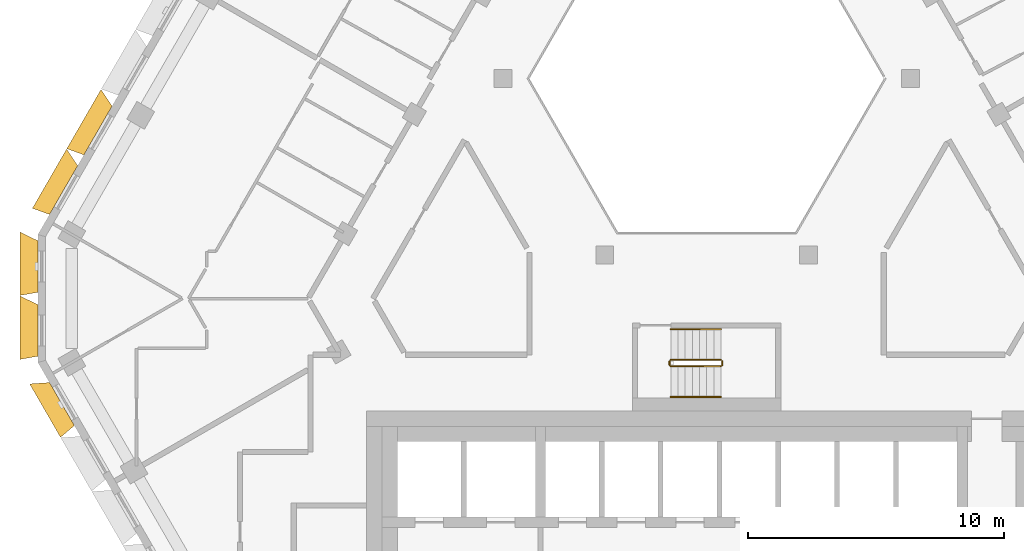
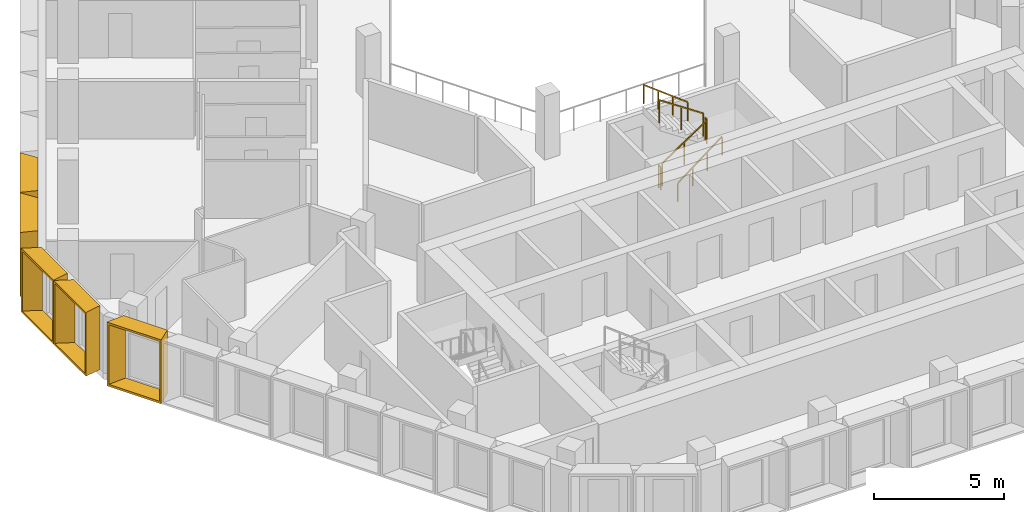
# One storey, part 15 of 18: 6 railings, 5 shading devices.
"""IFC4 building model written with IfcOpenShell, lengths in metres."""

from ifc_helpers import new_model, entity, si_unit, direction, frame, origin, origin_2d, place, context, subcontext, project, spatial, rectangle, extrude, source, transform, mapped, material, type_object, type_shapes, element, save


model = new_model("IFC4")

# Units and contexts
model_context = context("Model", 3, precision=1e-05, world=origin(), true_north=direction((0.0, 1.0)))
body_context = subcontext(model_context, "Body", "Model", "MODEL_VIEW")
ifc_project = project(units=[si_unit("LENGTHUNIT", "METRE"), si_unit("AREAUNIT", "SQUARE_METRE"), si_unit("VOLUMEUNIT", "CUBIC_METRE"), si_unit("PLANEANGLEUNIT", "RADIAN"), si_unit("MASSUNIT", "GRAM", prefix="KILO")], contexts=[model_context])

# Site, building, storey
site_placement = place(None, origin())
site = spatial("IfcSite", under=ifc_project, at=site_placement, CompositionType="ELEMENT")
building_placement = place(site_placement, origin())
building = spatial("IfcBuilding", under=site, at=building_placement, Name="Beryl Residences", CompositionType="ELEMENT")
storey_placement = place(building_placement, frame((0.0, 0.0, 190.199951171875)))
storey = spatial("IfcBuildingStorey", under=building, at=storey_placement, Name="L58", CompositionType="ELEMENT", Elevation=190.199951171875)

# Shading devices
ifc_material_1 = material(Name="Aluminium pale anodised", Category="aluminium")
shading_device_type_1 = type_object("IfcShadingDeviceType", Name="FR243-70B OUTER SKIN frame 700 mm deep, splay 26/10 deg, 2430 x 3000 mm cell", PredefinedType="USERDEFINED", material=ifc_material_1)
cartesian_point_1 = entity("IfcCartesianPoint", [-0.972412109375, 0.0])
cartesian_point_2 = entity("IfcCartesianPoint", [-0.883544921875, 0.10009765625])
cartesian_point_3 = entity("IfcCartesianPoint", [-1.31396484375, 0.0])
cartesian_point_4 = entity("IfcCartesianPoint", [-1.224853515625, 0.10009765625])
shared_shape_1 = source(origin(), body_context, "Body", "SweptSolid", [
    entity("IfcExtrudedAreaSolidTapered", entity("IfcArbitraryProfileDefWithVoids", "AREA", None, entity("IfcPolyline", [cartesian_point_1, entity("IfcCartesianPoint", [0.972412109375, 0.0]), entity("IfcCartesianPoint", [0.972412109375, 3.0]), entity("IfcCartesianPoint", [-0.972412109375, 3.0]), cartesian_point_1]), [entity("IfcPolyline", [cartesian_point_2, entity("IfcCartesianPoint", [0.891357421875, 0.10009765625]), entity("IfcCartesianPoint", [0.891357421875, 2.89990234375]), entity("IfcCartesianPoint", [-0.883544921875, 2.89990234375]), cartesian_point_2])]), entity("IfcAxis2Placement3D", entity("IfcCartesianPoint", [0.0, 0.0, 0.0]), entity("IfcDirection", [0.0, 1.0, 0.0]), entity("IfcDirection", [-1.0, 0.0, 0.0])), entity("IfcDirection", [0.0, 0.0, 1.0]), 0.699951171875, entity("IfcArbitraryProfileDefWithVoids", "AREA", None, entity("IfcPolyline", [cartesian_point_3, entity("IfcCartesianPoint", [1.095947265625, 0.0]), entity("IfcCartesianPoint", [1.095947265625, 3.0]), entity("IfcCartesianPoint", [-1.31396484375, 3.0]), cartesian_point_3]), [entity("IfcPolyline", [cartesian_point_4, entity("IfcCartesianPoint", [1.0146484375, 0.10009765625]), entity("IfcCartesianPoint", [1.0146484375, 2.89990234375]), entity("IfcCartesianPoint", [-1.224853515625, 2.89990234375]), cartesian_point_4])])),
])
type_shapes(shading_device_type_1, [shared_shape_1])
shading_device_placement = place(storey_placement, frame((-25.212890625, -4.72802734375, 0.0), z_axis=(0.0, 0.0, 1.0), x_axis=(-0.5, 0.866025403784, 0.0)))
element("IfcShadingDevice", 1, at=shading_device_placement, inside=storey, type_object=shading_device_type_1, Name="FR243-70B frame L58 SW 1", ObjectType="OUTER SKIN", PredefinedType="USERDEFINED", context=body_context, shape_type="MappedRepresentation", body=[
    mapped(shared_shape_1, transform((0.0, 0.0, 0.0))),
])
ifc_material_2 = material(Name="Aluminium pale anodised", Category="aluminium")
shading_device_type_2 = type_object("IfcShadingDeviceType", Name="FR250-70B OUTER SKIN frame 700 mm deep, splay 26/10 deg, 2500 x 3000 mm cell", PredefinedType="USERDEFINED", material=ifc_material_2)
cartesian_point_5 = entity("IfcCartesianPoint", [-1.007568359375, 0.0])
cartesian_point_6 = entity("IfcCartesianPoint", [-0.91845703125, 0.10009765625])
cartesian_point_7 = entity("IfcCartesianPoint", [-1.348876953125, 0.0])
cartesian_point_8 = entity("IfcCartesianPoint", [-1.260009765625, 0.10009765625])
shared_shape_2 = source(origin(), body_context, "Body", "SweptSolid", [
    entity("IfcExtrudedAreaSolidTapered", entity("IfcArbitraryProfileDefWithVoids", "AREA", None, entity("IfcPolyline", [cartesian_point_5, entity("IfcCartesianPoint", [1.007568359375, 0.0]), entity("IfcCartesianPoint", [1.007568359375, 3.0]), entity("IfcCartesianPoint", [-1.007568359375, 3.0]), cartesian_point_5]), [entity("IfcPolyline", [cartesian_point_6, entity("IfcCartesianPoint", [0.92626953125, 0.10009765625]), entity("IfcCartesianPoint", [0.92626953125, 2.89990234375]), entity("IfcCartesianPoint", [-0.91845703125, 2.89990234375]), cartesian_point_6])]), entity("IfcAxis2Placement3D", entity("IfcCartesianPoint", [0.0, 0.0, 0.0]), entity("IfcDirection", [0.0, 1.0, 0.0]), entity("IfcDirection", [-1.0, 0.0, 0.0])), entity("IfcDirection", [0.0, 0.0, 1.0]), 0.699951171875, entity("IfcArbitraryProfileDefWithVoids", "AREA", None, entity("IfcPolyline", [cartesian_point_7, entity("IfcCartesianPoint", [1.130859375, 0.0]), entity("IfcCartesianPoint", [1.130859375, 3.0]), entity("IfcCartesianPoint", [-1.348876953125, 3.0]), cartesian_point_7]), [entity("IfcPolyline", [cartesian_point_8, entity("IfcCartesianPoint", [1.0498046875, 0.10009765625]), entity("IfcCartesianPoint", [1.0498046875, 2.89990234375]), entity("IfcCartesianPoint", [-1.260009765625, 2.89990234375]), cartesian_point_8])])),
])
type_shapes(shading_device_type_2, [shared_shape_2])
for number, where, z_axis, x_axis, name in (
    (2, (-26.154052734375, 0.64990234375, 0.0), (0.0, 0.0, 1.0), (0.0, 1.0, 0.0), "FR250-70B frame L58 NW-SW 1"),
    (3, (-26.154052734375, -1.85009765625, 0.0), (0.0, 0.0, 1.0), (0.0, 1.0, 0.0), "FR250-70B frame L58 NW-SW 2"),
):
    element("IfcShadingDevice", number, at=place(storey_placement, frame(where, z_axis=z_axis, x_axis=x_axis)), inside=storey, type_object=shading_device_type_2, Name=name, ObjectType="OUTER SKIN", PredefinedType="USERDEFINED", context=body_context, shape_type="MappedRepresentation", body=[
        mapped(shared_shape_2, transform((0.0, 0.0, 0.0))),
    ])
ifc_material_3 = material(Name="Aluminium pale anodised", Category="aluminium")
shading_device_type_3 = type_object("IfcShadingDeviceType", Name="FR269-70B OUTER SKIN frame 700 mm deep, splay 26/10 deg, 2690 x 3000 mm cell", PredefinedType="USERDEFINED", material=ifc_material_3)
cartesian_point_9 = entity("IfcCartesianPoint", [-1.1025390625, 0.0])
cartesian_point_10 = entity("IfcCartesianPoint", [-1.013427734375, 0.10009765625])
cartesian_point_11 = entity("IfcCartesianPoint", [-1.44384765625, 0.0])
cartesian_point_12 = entity("IfcCartesianPoint", [-1.35498046875, 0.10009765625])
shared_shape_3 = source(origin(), body_context, "Body", "SweptSolid", [
    entity("IfcExtrudedAreaSolidTapered", entity("IfcArbitraryProfileDefWithVoids", "AREA", None, entity("IfcPolyline", [cartesian_point_9, entity("IfcCartesianPoint", [1.1025390625, 0.0]), entity("IfcCartesianPoint", [1.1025390625, 3.0]), entity("IfcCartesianPoint", [-1.1025390625, 3.0]), cartesian_point_9]), [entity("IfcPolyline", [cartesian_point_10, entity("IfcCartesianPoint", [1.021240234375, 0.10009765625]), entity("IfcCartesianPoint", [1.021240234375, 2.89990234375]), entity("IfcCartesianPoint", [-1.013427734375, 2.89990234375]), cartesian_point_10])]), entity("IfcAxis2Placement3D", entity("IfcCartesianPoint", [0.0, 0.0, 0.0]), entity("IfcDirection", [0.0, 1.0, 0.0]), entity("IfcDirection", [-1.0, 0.0, 0.0])), entity("IfcDirection", [0.0, 0.0, 1.0]), 0.699951171875, entity("IfcArbitraryProfileDefWithVoids", "AREA", None, entity("IfcPolyline", [cartesian_point_11, entity("IfcCartesianPoint", [1.225830078125, 0.0]), entity("IfcCartesianPoint", [1.225830078125, 3.0]), entity("IfcCartesianPoint", [-1.44384765625, 3.0]), cartesian_point_11]), [entity("IfcPolyline", [cartesian_point_12, entity("IfcCartesianPoint", [1.144775390625, 0.10009765625]), entity("IfcCartesianPoint", [1.144775390625, 2.89990234375]), entity("IfcCartesianPoint", [-1.35498046875, 2.89990234375]), cartesian_point_12])])),
])
type_shapes(shading_device_type_3, [shared_shape_3])
for number, where, z_axis, x_axis, name in (
    (4, (-23.802978515625, 5.971923828125, 0.0), (0.0, 0.0, 1.0), (0.5, 0.866025403784, 0.0), "FR269-70B frame L58 NW 7"),
    (5, (-25.14892578125, 3.639892578125, 0.0), (0.0, 0.0, 1.0), (0.5, 0.866025403784, 0.0), "FR269-70B frame L58 NW 8"),
):
    element("IfcShadingDevice", number, at=place(storey_placement, frame(where, z_axis=z_axis, x_axis=x_axis)), inside=storey, type_object=shading_device_type_3, Name=name, ObjectType="OUTER SKIN", PredefinedType="USERDEFINED", context=body_context, shape_type="MappedRepresentation", body=[
        mapped(shared_shape_3, transform((0.0, 0.0, 0.0))),
    ])

# Railings
ifc_material_4 = material(Name="Stainless steel balustrade with glass infill", Category="steel")
railing_type_1 = type_object("IfcRailingType", Name="SG1 stair guard 1100 mm", PredefinedType="GUARDRAIL", material=ifc_material_4)
railing_1_placement = place(storey_placement, frame((-1.39990234375, -3.25, 0.1875)))
element("IfcRailing", 6, at=railing_1_placement, inside=storey, type_object=railing_type_1, Name="L58 ST-4 stair guard 1", PredefinedType="GUARDRAIL", context=body_context, shape_type="SweptSolid", body=[
    extrude(rectangle(XDim=0.048095703125, YDim=0.048095703125, at=origin_2d()), frame((0.0, 0.0, 1.076171875), z_axis=(0.830902050051, 0.0, 0.556418712142), x_axis=(0.0, 1.0, 0.0)), (0.0, 0.0, 1.0), 2.35888671875),
    extrude(rectangle(XDim=0.0419921875, YDim=0.0419921875, at=origin_2d()), origin(), (0.0, 0.0, 1.0), 1.052001953125),
    extrude(rectangle(XDim=0.0419921875, YDim=0.0419921875, at=origin_2d()), frame((0.97998046875, 0.0, 0.65625)), (0.0, 0.0, 1.0), 1.052001953125),
    extrude(rectangle(XDim=0.0419921875, YDim=0.0419921875, at=origin_2d()), frame((1.9599609375, 0.0, 1.3125)), (0.0, 0.0, 1.0), 1.052001953125),
])
railing_2_placement = place(storey_placement, frame((0.610107421875, -3.199951171875, 1.5)))
element("IfcRailing", 7, at=railing_2_placement, inside=storey, type_object=railing_type_1, Name="L58 ST-4 stair guard 2", PredefinedType="GUARDRAIL", context=body_context, shape_type="SweptSolid", body=[
    extrude(rectangle(XDim=0.048095703125, YDim=0.048095703125, at=origin_2d()), frame((0.0, 0.0, 1.076171875), z_axis=(0.0, 1.0, 0.0), x_axis=(-1.0, 0.0, 0.0)), (0.0, 0.0, 1.0), 0.14990234375),
    extrude(rectangle(XDim=0.0419921875, YDim=0.0419921875, at=origin_2d()), origin(), (0.0, 0.0, 1.0), 1.052001953125),
    extrude(rectangle(XDim=0.0419921875, YDim=0.0419921875, at=origin_2d()), frame((0.0, 0.14990234375, 0.0)), (0.0, 0.0, 1.0), 1.052001953125),
])
railing_3_placement = place(storey_placement, frame((0.56005859375, -3.0, 1.6875)))
element("IfcRailing", 8, at=railing_3_placement, inside=storey, type_object=railing_type_1, Name="L58 ST-4 stair guard 3", PredefinedType="GUARDRAIL", context=body_context, shape_type="SweptSolid", body=[
    extrude(rectangle(XDim=0.048095703125, YDim=0.048095703125, at=origin_2d()), frame((0.0, 0.0, 1.076171875), z_axis=(-0.830902050051, 0.0, 0.556418712142), x_axis=(0.0, -1.0, 0.0)), (0.0, 0.0, 1.0), 2.35888671875),
    extrude(rectangle(XDim=0.0419921875, YDim=0.0419921875, at=origin_2d()), origin(), (0.0, 0.0, 1.0), 1.052001953125),
    extrude(rectangle(XDim=0.0419921875, YDim=0.0419921875, at=origin_2d()), frame((-0.97998046875, 0.0, 0.65625)), (0.0, 0.0, 1.0), 1.052001953125),
    extrude(rectangle(XDim=0.0419921875, YDim=0.0419921875, at=origin_2d()), frame((-1.9599609375, 0.0, 1.3125)), (0.0, 0.0, 1.0), 1.052001953125),
])
railing_4_placement = place(storey_placement, frame((-1.449951171875, -3.199951171875, 0.0)))
element("IfcRailing", 9, at=railing_4_placement, inside=storey, type_object=railing_type_1, Name="L58 ST-4 stair guard 4", PredefinedType="GUARDRAIL", context=body_context, shape_type="SweptSolid", body=[
    extrude(rectangle(XDim=0.048095703125, YDim=0.048095703125, at=origin_2d()), frame((0.0, 0.0, 1.076171875), z_axis=(0.0, 1.0, 0.0), x_axis=(-1.0, 0.0, 0.0)), (0.0, 0.0, 1.0), 0.14990234375),
    extrude(rectangle(XDim=0.0419921875, YDim=0.0419921875, at=origin_2d()), origin(), (0.0, 0.0, 1.0), 1.052001953125),
    extrude(rectangle(XDim=0.0419921875, YDim=0.0419921875, at=origin_2d()), frame((0.0, 0.14990234375, 0.0)), (0.0, 0.0, 1.0), 1.052001953125),
])
ifc_material_5 = material(Name="Stainless steel handrail", Category="steel")
railing_type_2 = type_object("IfcRailingType", Name="SRL1 stair handrail 900 mm", PredefinedType="HANDRAIL", material=ifc_material_5)
railing_5_placement = place(storey_placement, frame((-1.39990234375, -4.449951171875, 0.1875)))
element("IfcRailing", 10, at=railing_5_placement, inside=storey, type_object=railing_type_2, Name="L58 ST-4 stair handrail 1", PredefinedType="HANDRAIL", context=body_context, shape_type="SweptSolid", body=[
    extrude(rectangle(XDim=0.048095703125, YDim=0.048095703125, at=origin_2d()), frame((0.0, 0.0, 0.8759765625), z_axis=(0.794121922505, 0.0, 0.607758481798), x_axis=(0.0, 1.0, 0.0)), (0.0, 0.0, 1.0), 2.468017578125),
    extrude(rectangle(XDim=0.0419921875, YDim=0.0419921875, at=origin_2d()), origin(), (0.0, 0.0, 1.0), 0.851806640625),
    extrude(rectangle(XDim=0.0419921875, YDim=0.0419921875, at=origin_2d()), frame((0.6533203125, 0.0, 0.5)), (0.0, 0.0, 1.0), 0.851806640625),
    extrude(rectangle(XDim=0.0419921875, YDim=0.0419921875, at=origin_2d()), frame((1.306640625, 0.0, 1.0)), (0.0, 0.0, 1.0), 0.851806640625),
    extrude(rectangle(XDim=0.0419921875, YDim=0.0419921875, at=origin_2d()), frame((1.9599609375, 0.0, 1.5)), (0.0, 0.0, 1.0), 0.851806640625),
])
railing_6_placement = place(storey_placement, frame((0.56005859375, -1.800048828125, 1.6875)))
element("IfcRailing", 11, at=railing_6_placement, inside=storey, type_object=railing_type_2, Name="L58 ST-4 stair handrail 2", PredefinedType="HANDRAIL", context=body_context, shape_type="SweptSolid", body=[
    extrude(rectangle(XDim=0.048095703125, YDim=0.048095703125, at=origin_2d()), frame((0.0, 0.0, 0.8759765625), z_axis=(-0.794121922505, 0.0, 0.607758481798), x_axis=(0.0, -1.0, 0.0)), (0.0, 0.0, 1.0), 2.468017578125),
    extrude(rectangle(XDim=0.0419921875, YDim=0.0419921875, at=origin_2d()), origin(), (0.0, 0.0, 1.0), 0.851806640625),
    extrude(rectangle(XDim=0.0419921875, YDim=0.0419921875, at=origin_2d()), frame((-0.6533203125, 0.0, 0.5)), (0.0, 0.0, 1.0), 0.851806640625),
    extrude(rectangle(XDim=0.0419921875, YDim=0.0419921875, at=origin_2d()), frame((-1.306640625, 0.0, 1.0)), (0.0, 0.0, 1.0), 0.851806640625),
    extrude(rectangle(XDim=0.0419921875, YDim=0.0419921875, at=origin_2d()), frame((-1.9599609375, 0.0, 1.5)), (0.0, 0.0, 1.0), 0.851806640625),
])

save(model, "model.ifc")
